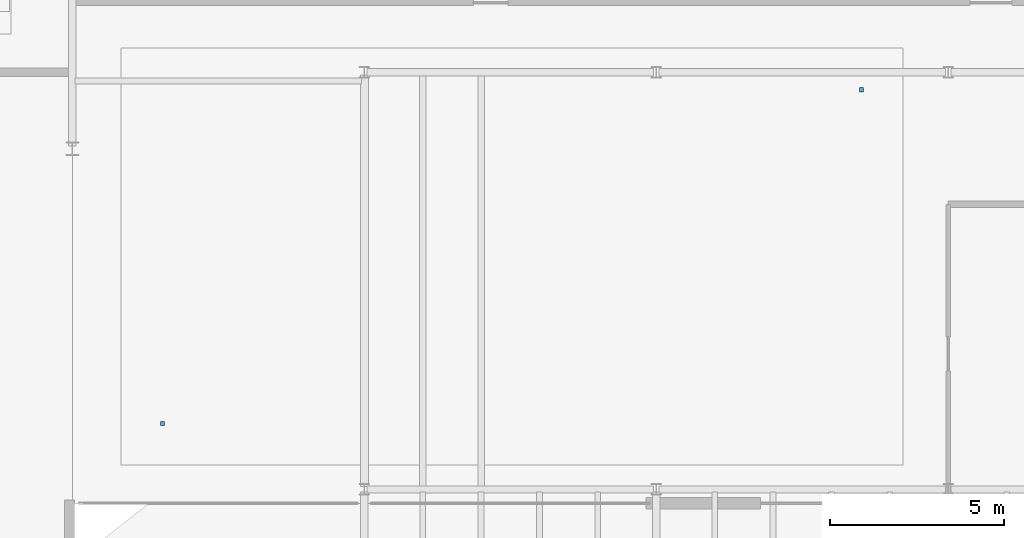
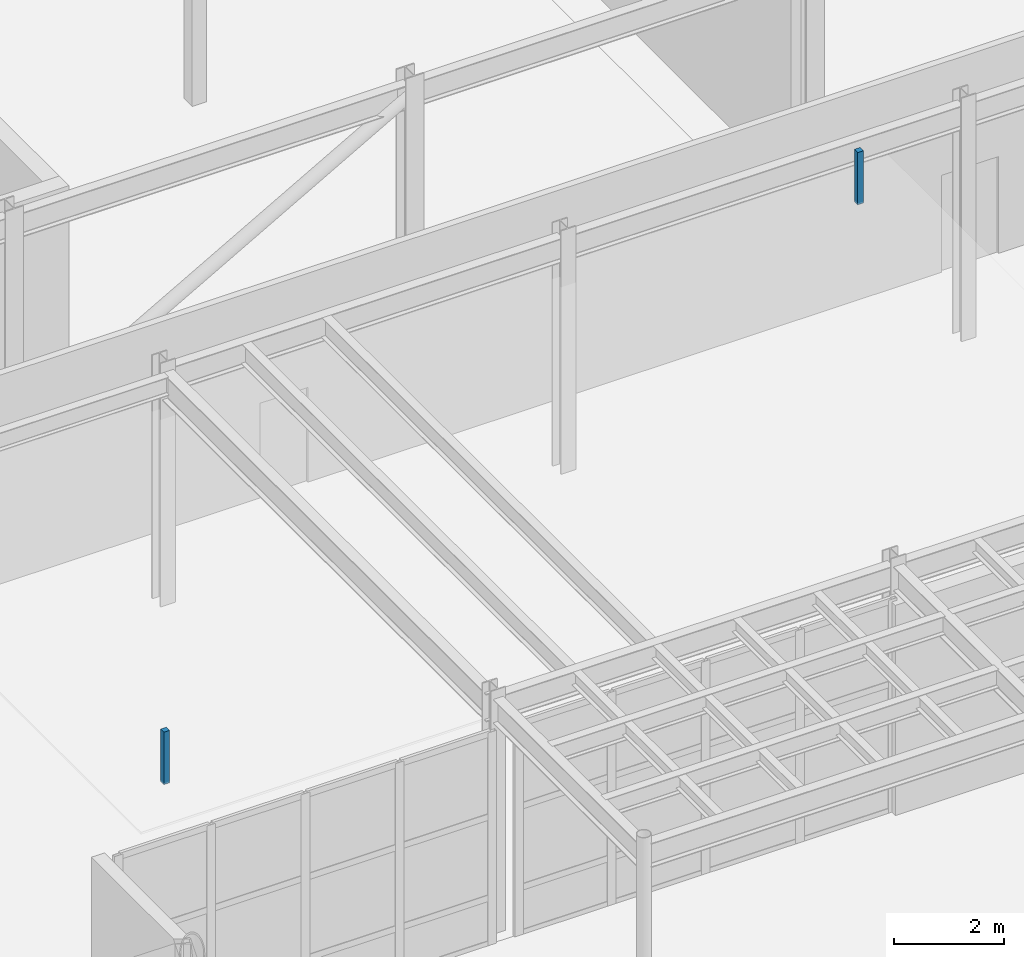
# One storey, part 73 of 87: 2 discrete accessories.
"""IFC4 building model written with IfcOpenShell, lengths in metres."""

from ifc_helpers import new_model, si_unit, direction, frame, origin, origin_2d, place, context, subcontext, project, spatial, rectangle, extrude, material, type_object, element, save


model = new_model("IFC4")

# Units and contexts
model_context = context("Model", 3, precision=1e-05, world=origin(), true_north=direction((0.0, 1.0)))
body_context = subcontext(model_context, "Body", "Model", "MODEL_VIEW")
ifc_project = project(units=[si_unit("LENGTHUNIT", "METRE"), si_unit("AREAUNIT", "SQUARE_METRE"), si_unit("VOLUMEUNIT", "CUBIC_METRE"), si_unit("PLANEANGLEUNIT", "RADIAN"), si_unit("MASSUNIT", "GRAM", prefix="KILO")], contexts=[model_context])

# Site, building, storey
site_placement = place(None, origin())
site = spatial("IfcSite", under=ifc_project, at=site_placement, CompositionType="ELEMENT")
building_placement = place(site_placement, origin())
building = spatial("IfcBuilding", under=site, at=building_placement, Name="Selat Folded Stagehouse", CompositionType="ELEMENT")
storey_placement = place(building_placement, origin())
storey = spatial("IfcBuildingStorey", under=building, at=storey_placement, Name="L00", CompositionType="ELEMENT", Elevation=0.0)

# Discrete accessories
ifc_material = material(Name="Galvanised steel acoustic hanger rod", Category="steel")
discrete_accessory_type = type_object("IfcDiscreteAccessoryType", Name="ACC-HGR-1160", PredefinedType="BRACKET", material=ifc_material)
for number, where, z_axis, x_axis, name in (
    (1, (36.199951171875, 7.699951171875, 4.1201171875), (0.0, 0.0, 1.0), (1.0, 0.0, 0.0), "L00 acoustic ceiling hanger CLG-L00-FYR-1"),
    (2, (56.300048828125, 17.300048828125, 4.1201171875), (0.0, 0.0, 1.0), (1.0, 0.0, 0.0), "L00 acoustic ceiling hanger CLG-L00-FYR-2"),
):
    element("IfcDiscreteAccessory", number, at=place(storey_placement, frame(where, z_axis=z_axis, x_axis=x_axis)), inside=storey, type_object=discrete_accessory_type, Name=name, PredefinedType="BRACKET", context=body_context, shape_type="SweptSolid", body=[
        extrude(rectangle(XDim=0.1201171875, YDim=0.1201171875, at=origin_2d()), origin(), (0.0, 0.0, 1.0), 1.159912109375),
    ])

save(model, "model.ifc")
